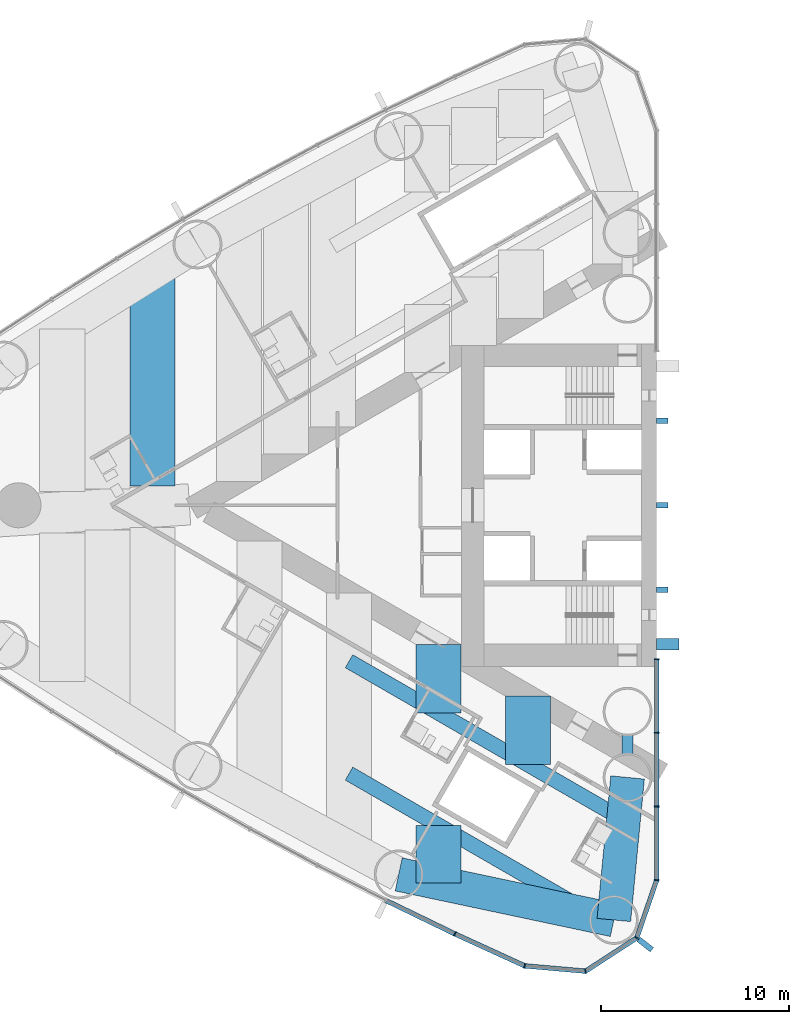
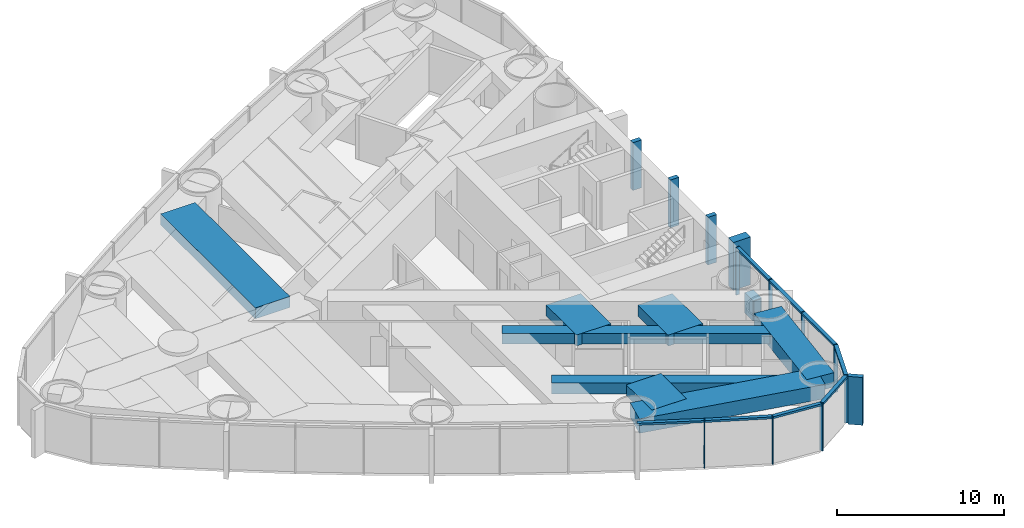
# One storey, part 3 of 18: 21 members, 9 beams, 1 element without a shape of its own.
"""IFC4 building model written with IfcOpenShell, lengths in metres."""

from ifc_helpers import new_model, si_unit, direction, frame, origin, origin_2d, place, context, subcontext, project, spatial, rectangle, hollow_rectangle, extrude, material, material_profile, profile_set, type_object, element, aggregate, save


model = new_model("IFC4")

# Units and contexts
model_context = context("Model", 3, precision=1e-05, world=origin(), true_north=direction((0.0, 1.0)))
body_context = subcontext(model_context, "Body", "Model", "MODEL_VIEW")
ifc_project = project(units=[si_unit("LENGTHUNIT", "METRE"), si_unit("AREAUNIT", "SQUARE_METRE"), si_unit("VOLUMEUNIT", "CUBIC_METRE"), si_unit("PLANEANGLEUNIT", "RADIAN"), si_unit("MASSUNIT", "GRAM", prefix="KILO")], contexts=[model_context])

# Site, building, storey
site_placement = place(None, origin())
site = spatial("IfcSite", under=ifc_project, at=site_placement, CompositionType="ELEMENT")
building_placement = place(site_placement, origin())
building = spatial("IfcBuilding", under=site, at=building_placement, Name="Lancet Gate Hotel", CompositionType="ELEMENT")
storey_placement = place(building_placement, frame((0.0, 0.0, 94.10009765625)))
storey = spatial("IfcBuildingStorey", under=building, at=storey_placement, Name="L24", CompositionType="ELEMENT", Elevation=94.10009765625)

# Curtain wall, members
ifc_material_1 = material(Name="Aluminium curtain wall", Category="aluminium")
curtain_wall_type = type_object("IfcCurtainWallType", Name="Tower unitised curtain wall", PredefinedType="USERDEFINED", material=ifc_material_1)
curtain_wall_placement = place(storey_placement, origin())
curtain_wall = element("IfcCurtainWall", 1, at=curtain_wall_placement, inside=storey, type_object=curtain_wall_type, Name="T1 L24 curtain wall 1", ObjectType="UNITISED CURTAIN WALL", PredefinedType="USERDEFINED")
ifc_material_2 = material(Name="Aluminium mullion", Category="aluminium")
ifc_material_profile_1 = material_profile(ifc_material_2, rectangle(XDim=0.06494140625, YDim=0.25, at=origin_2d()), Name="MULLION 65x250")
ifc_profile_set_1 = profile_set([ifc_material_profile_1], Name="Aluminium mullion")
member_type_1 = type_object("IfcMemberType", Name="Aluminium mullion 65x250", PredefinedType="MULLION", material=ifc_profile_set_1)
member_1_placement = place(storey_placement, frame((-38.25244140625, -22.83642578125, 0.0), z_axis=(0.0, 0.0, 1.0), x_axis=(0.904719609771, -0.426007544178, 0.0)))
member_1 = element("IfcMember", 2, at=member_1_placement, type_object=member_type_1, Name="T1 L24 curtain wall 1 mullion 29", PredefinedType="MULLION", context=body_context, shape_type="SweptSolid", body=[
    extrude(rectangle(XDim=0.06494140625, YDim=0.25, at=origin_2d()), origin(), (0.0, 0.0, 1.0), 3.5),
])
member_2_placement = place(storey_placement, frame((-34.5322265625, -24.53955078125, 0.0), z_axis=(0.0, 0.0, 1.0), x_axis=(0.961653318232, -0.27426792655, 0.0)))
member_2 = element("IfcMember", 3, at=member_2_placement, type_object=member_type_1, Name="T1 L24 curtain wall 1 mullion 30", PredefinedType="MULLION", context=body_context, shape_type="SweptSolid", body=[
    extrude(rectangle(XDim=0.06494140625, YDim=0.25, at=origin_2d()), origin(), (0.0, 0.0, 1.0), 3.5),
])
member_3_placement = place(storey_placement, frame((-31.289306640625, -24.822265625, 0.0), z_axis=(0.0, 0.0, 1.0), x_axis=(0.970242142288, 0.242136707934, 0.0)))
member_3 = element("IfcMember", 4, at=member_3_placement, type_object=member_type_1, Name="T1 L24 curtain wall 1 mullion 31", PredefinedType="MULLION", context=body_context, shape_type="SweptSolid", body=[
    extrude(rectangle(XDim=0.06494140625, YDim=0.25, at=origin_2d()), origin(), (0.0, 0.0, 1.0), 3.5),
])
member_4_placement = place(storey_placement, frame((-28.5595703125, -23.049072265625, 0.0), z_axis=(0.0, 0.0, 1.0), x_axis=(0.615574240878, 0.788078900851, 0.0)))
member_4 = element("IfcMember", 5, at=member_4_placement, type_object=member_type_1, Name="T1 L24 curtain wall 1 mullion 32", PredefinedType="MULLION", context=body_context, shape_type="SweptSolid", body=[
    extrude(rectangle(XDim=0.06494140625, YDim=0.25, at=origin_2d()), origin(), (0.0, 0.0, 1.0), 3.5),
])
member_5_placement = place(storey_placement, frame((-27.5, -19.97119140625, 0.0), z_axis=(0.0, 0.0, 1.0), x_axis=(0.149634446211, 0.988741388082, 0.0)))
member_5 = element("IfcMember", 6, at=member_5_placement, type_object=member_type_1, Name="T1 L24 curtain wall 1 mullion 33", PredefinedType="MULLION", context=body_context, shape_type="SweptSolid", body=[
    extrude(rectangle(XDim=0.06494140625, YDim=0.25, at=origin_2d()), origin(), (0.0, 0.0, 1.0), 3.5),
])
member_6_placement = place(storey_placement, frame((-27.5, -16.04736328125, 0.0), z_axis=(0.0, 0.0, 1.0), x_axis=(0.0, 1.0, 0.0)))
member_6 = element("IfcMember", 7, at=member_6_placement, type_object=member_type_1, Name="T1 L24 curtain wall 1 mullion 34", PredefinedType="MULLION", context=body_context, shape_type="SweptSolid", body=[
    extrude(rectangle(XDim=0.06494140625, YDim=0.25, at=origin_2d()), origin(), (0.0, 0.0, 1.0), 3.5),
])
member_7_placement = place(storey_placement, frame((-27.5, -12.123779296875, 0.0), z_axis=(0.0, 0.0, 1.0), x_axis=(0.0, 1.0, 0.0)))
member_7 = element("IfcMember", 8, at=member_7_placement, type_object=member_type_1, Name="T1 L24 curtain wall 1 mullion 35", PredefinedType="MULLION", context=body_context, shape_type="SweptSolid", body=[
    extrude(rectangle(XDim=0.06494140625, YDim=0.25, at=origin_2d()), origin(), (0.0, 0.0, 1.0), 3.5),
])
member_8_placement = place(storey_placement, frame((-27.5, -8.199951171875, 0.0), z_axis=(0.0, 0.0, 1.0), x_axis=(0.0, 1.0, 0.0)))
member_8 = element("IfcMember", 9, at=member_8_placement, type_object=member_type_1, Name="T1 L24 curtain wall 1 mullion 36", PredefinedType="MULLION", context=body_context, shape_type="SweptSolid", body=[
    extrude(rectangle(XDim=0.06494140625, YDim=0.25, at=origin_2d()), origin(), (0.0, 0.0, 1.0), 3.5),
])
ifc_material_3 = material(Name="Aluminium transom", Category="aluminium")
ifc_material_profile_2 = material_profile(ifc_material_3, rectangle(XDim=0.25, YDim=0.14990234375, at=origin_2d()), Name="TRANSOM 250x150")
ifc_profile_set_2 = profile_set([ifc_material_profile_2], Name="Aluminium transom")
member_type_2 = type_object("IfcMemberType", Name="Aluminium transom 250x150", PredefinedType="USERDEFINED", material=ifc_profile_set_2)
member_9_placement = place(storey_placement, frame((-41.906005859375, -21.067626953125, 3.4248046875), z_axis=(0.900065677074, -0.435754262117, 0.0), x_axis=(0.435754262117, 0.900065677074, 0.0)))
member_9 = element("IfcMember", 10, at=member_9_placement, type_object=member_type_2, Name="T1 L24 curtain wall 1 transom 28", ObjectType="TRANSOM", PredefinedType="USERDEFINED", context=body_context, shape_type="SweptSolid", body=[
    extrude(rectangle(XDim=0.25, YDim=0.14990234375, at=origin_2d()), origin(), (0.0, 0.0, 1.0), 4.026611328125),
])
member_10_placement = place(storey_placement, frame((-38.222900390625, -22.849853515625, 3.4248046875), z_axis=(0.909252284196, -0.416245460857, 0.0), x_axis=(0.416245460857, 0.909252284196, 0.0)))
member_10 = element("IfcMember", 11, at=member_10_placement, type_object=member_type_2, Name="T1 L24 curtain wall 1 transom 29", ObjectType="TRANSOM", PredefinedType="USERDEFINED", context=body_context, shape_type="SweptSolid", body=[
    extrude(rectangle(XDim=0.25, YDim=0.14990234375, at=origin_2d()), origin(), (0.0, 0.0, 1.0), 4.026611328125),
])
member_11_placement = place(storey_placement, frame((-34.499755859375, -24.542236328125, 3.4248046875), z_axis=(0.996213545522, -0.086940046686, 0.0), x_axis=(0.086940046686, 0.996213545522, 0.0)))
member_11 = element("IfcMember", 12, at=member_11_placement, type_object=member_type_2, Name="T1 L24 curtain wall 1 transom 30", ObjectType="TRANSOM", PredefinedType="USERDEFINED", context=body_context, shape_type="SweptSolid", body=[
    extrude(rectangle(XDim=0.25, YDim=0.14990234375, at=origin_2d()), origin(), (0.0, 0.0, 1.0), 3.18994140625),
])
member_12_placement = place(storey_placement, frame((-31.261962890625, -24.8046875, 3.4248046875), z_axis=(0.838550259452, 0.544824249068, 0.0), x_axis=(-0.544824249068, 0.838550259452, 0.0)))
member_12 = element("IfcMember", 13, at=member_12_placement, type_object=member_type_2, Name="T1 L24 curtain wall 1 transom 31", ObjectType="TRANSOM", PredefinedType="USERDEFINED", context=body_context, shape_type="SweptSolid", body=[
    extrude(rectangle(XDim=0.25, YDim=0.14990234375, at=origin_2d()), origin(), (0.0, 0.0, 1.0), 3.190185546875),
])
member_13_placement = place(storey_placement, frame((-28.549072265625, -23.018310546875, 3.4248046875), z_axis=(0.32553312754, 0.945530635609, 0.0), x_axis=(-0.945530635609, 0.32553312754, 0.0)))
member_13 = element("IfcMember", 14, at=member_13_placement, type_object=member_type_2, Name="T1 L24 curtain wall 1 transom 32", ObjectType="TRANSOM", PredefinedType="USERDEFINED", context=body_context, shape_type="SweptSolid", body=[
    extrude(rectangle(XDim=0.25, YDim=0.14990234375, at=origin_2d()), origin(), (0.0, 0.0, 1.0), 3.1904296875),
])
member_14_placement = place(storey_placement, frame((-27.5, -19.9384765625, 3.4248046875), z_axis=(0.0, 1.0, 0.0), x_axis=(-1.0, 0.0, 0.0)))
member_14 = element("IfcMember", 15, at=member_14_placement, type_object=member_type_2, Name="T1 L24 curtain wall 1 transom 33", ObjectType="TRANSOM", PredefinedType="USERDEFINED", context=body_context, shape_type="SweptSolid", body=[
    extrude(rectangle(XDim=0.25, YDim=0.14990234375, at=origin_2d()), origin(), (0.0, 0.0, 1.0), 3.858642578125),
])
member_15_placement = place(storey_placement, frame((-27.5, -16.014892578125, 3.4248046875), z_axis=(0.0, 1.0, 0.0), x_axis=(-1.0, 0.0, 0.0)))
member_15 = element("IfcMember", 16, at=member_15_placement, type_object=member_type_2, Name="T1 L24 curtain wall 1 transom 34", ObjectType="TRANSOM", PredefinedType="USERDEFINED", context=body_context, shape_type="SweptSolid", body=[
    extrude(rectangle(XDim=0.25, YDim=0.14990234375, at=origin_2d()), origin(), (0.0, 0.0, 1.0), 3.858642578125),
])
member_16_placement = place(storey_placement, frame((-27.5, -12.09130859375, 3.4248046875), z_axis=(0.0, 1.0, 0.0), x_axis=(-1.0, 0.0, 0.0)))
member_16 = element("IfcMember", 17, at=member_16_placement, type_object=member_type_2, Name="T1 L24 curtain wall 1 transom 35", ObjectType="TRANSOM", PredefinedType="USERDEFINED", context=body_context, shape_type="SweptSolid", body=[
    extrude(rectangle(XDim=0.25, YDim=0.14990234375, at=origin_2d()), origin(), (0.0, 0.0, 1.0), 3.85888671875),
])

# Beams
ifc_material_4 = material(Name="Concrete C50/60", Category="concrete")
ifc_material_profile_3 = material_profile(ifc_material_4, rectangle(XDim=1.800048828125, YDim=1.050048828125, at=origin_2d()), Name="RC 1800x1050")
ifc_profile_set_3 = profile_set([ifc_material_profile_3], Name="Concrete C50/60")
beam_type_1 = type_object("IfcBeamType", Name="Edge beam RC 1800x1050", PredefinedType="SPANDREL", material=ifc_profile_set_3)
beam_1_placement = place(storey_placement, frame((-41.244873046875, -19.665771484375, 2.724853515625), z_axis=(0.978282156247, -0.207277646573, 0.0), x_axis=(0.207277646573, 0.978282156247, 0.0)))
element("IfcBeam", 18, at=beam_1_placement, inside=storey, type_object=beam_type_1, Name="T1 edge beam EB1 L24", PredefinedType="SPANDREL", context=body_context, shape_type="SweptSolid", body=[
    extrude(rectangle(XDim=1.800048828125, YDim=1.050048828125, at=origin_2d()), origin(), (0.0, 0.0, 1.0), 11.71826171875),
])
beam_2_placement = place(storey_placement, frame((-29.050048828125, -14.5, 2.724853515625), z_axis=(-0.095802643786, -0.995400348324, 0.0), x_axis=(0.995400348324, -0.095802643786, 0.0)))
element("IfcBeam", 19, at=beam_2_placement, inside=storey, type_object=beam_type_1, Name="T1 edge beam EB1 L24", PredefinedType="SPANDREL", context=body_context, shape_type="SweptSolid", body=[
    extrude(rectangle(XDim=1.800048828125, YDim=1.050048828125, at=origin_2d()), origin(), (0.0, 0.0, 1.0), 7.6298828125),
])

# Member
ifc_material_5 = material(Name="Concrete C60/75", Category="concrete")
ifc_material_profile_4 = material_profile(ifc_material_5, rectangle(XDim=0.60009765625, YDim=1.199951171875, at=origin_2d()), Name="FIN 600x1200")
ifc_profile_set_4 = profile_set([ifc_material_profile_4], Name="Concrete C60/75")
member_type_3 = type_object("IfcMemberType", Name="Exposed concrete buttress pilaster 600x1200", PredefinedType="USERDEFINED", material=ifc_profile_set_4)
member_17_placement = place(storey_placement, frame((-26.909912109375, -7.39990234375, 0.0), z_axis=(0.0, 0.0, 1.0), x_axis=(0.0, 1.0, 0.0)))
element("IfcMember", 20, at=member_17_placement, inside=storey, type_object=member_type_3, Name="T1 buttress pilaster N L24", ObjectType="FIN", PredefinedType="USERDEFINED", context=body_context, shape_type="SweptSolid", body=[
    extrude(rectangle(XDim=0.60009765625, YDim=1.199951171875, at=origin_2d()), origin(), (0.0, 0.0, 1.0), 3.5),
])

ifc_material_6 = material(Name="Precast concrete C50/60", Category="concrete")
ifc_material_profile_5 = material_profile(ifc_material_6, rectangle(XDim=0.300048828125, YDim=0.89990234375, at=origin_2d()), Name="FIN 300x900")
ifc_profile_set_5 = profile_set([ifc_material_profile_5], Name="Precast concrete C50/60")
member_type_4 = type_object("IfcMemberType", Name="Exposed concrete fin 300x900", PredefinedType="USERDEFINED", material=ifc_profile_set_5)
member_18_placement = place(storey_placement, frame((-28.1064453125, -23.40283203125, 0.0), z_axis=(0.0, 0.0, 1.0), x_axis=(0.615574240878, 0.788078900851, 0.0)))
member_18 = element("IfcMember", 21, at=member_18_placement, type_object=member_type_4, Name="T1 L24 curtain wall 1 fin 32", ObjectType="FIN", PredefinedType="USERDEFINED", context=body_context, shape_type="SweptSolid", body=[
    extrude(rectangle(XDim=0.300048828125, YDim=0.89990234375, at=origin_2d()), origin(), (0.0, 0.0, 1.0), 3.5),
])

aggregate(curtain_wall, [member_1, member_2, member_3, member_4, member_18, member_5, member_6, member_7, member_8, member_9, member_10, member_11, member_12, member_13, member_14, member_15, member_16])

# Members
ifc_material_7 = material(Name="Concrete C60/75", Category="concrete")
ifc_material_profile_6 = material_profile(ifc_material_7, rectangle(XDim=0.300048828125, YDim=0.60009765625, at=origin_2d()), Name="FIN 300x600")
ifc_profile_set_6 = profile_set([ifc_material_profile_6], Name="Concrete C60/75")
member_type_5 = type_object("IfcMemberType", Name="Exposed concrete rib 300x600", PredefinedType="USERDEFINED", material=ifc_profile_set_6)
for number, where, z_axis, x_axis, name in (
    (22, (-27.2099609375, 4.5, 0.0), (0.0, 0.0, 1.0), (0.0, 1.0, 0.0), "T1 core rib 1 L24"),
    (23, (-27.2099609375, 0.0, 0.0), (0.0, 0.0, 1.0), (0.0, 1.0, 0.0), "T1 core rib 2 L24"),
    (24, (-27.2099609375, -4.5, 0.0), (0.0, 0.0, 1.0), (0.0, 1.0, 0.0), "T1 core rib 3 L24"),
):
    element("IfcMember", number, at=place(storey_placement, frame(where, z_axis=z_axis, x_axis=x_axis)), inside=storey, type_object=member_type_5, Name=name, ObjectType="FIN", PredefinedType="USERDEFINED", context=body_context, shape_type="SweptSolid", body=[
        extrude(rectangle(XDim=0.300048828125, YDim=0.60009765625, at=origin_2d()), origin(), (0.0, 0.0, 1.0), 3.5),
    ])

# Beams
ifc_material_8 = material(Name="Concrete C50/60", Category="concrete")
ifc_material_profile_7 = material_profile(ifc_material_8, rectangle(XDim=2.39990234375, YDim=0.800048828125, at=origin_2d()), Name="RC 2400x800")
ifc_profile_set_7 = profile_set([ifc_material_profile_7], Name="Concrete C50/60")
beam_type_2 = type_object("IfcBeamType", Name="Floor beam RC 2400x800", PredefinedType="BEAM", material=ifc_profile_set_7)
beam_3_placement = place(storey_placement, frame((-54.3681640625, 12.392333984375, 2.849853515625), z_axis=(0.0, -1.0, 0.0), x_axis=(1.0, 0.0, 0.0)))
element("IfcBeam", 25, at=beam_3_placement, inside=storey, type_object=beam_type_2, Name="T1 floor beam F13S L24", PredefinedType="BEAM", context=body_context, shape_type="SweptSolid", body=[
    extrude(rectangle(XDim=2.39990234375, YDim=0.800048828125, at=origin_2d()), origin(), (0.0, 0.0, 1.0), 11.364990234375),
])
beam_4_placement = place(storey_placement, frame((-34.353515625, -10.169921875, 2.849853515625), z_axis=(0.0, -1.0, 0.0), x_axis=(1.0, 0.0, 0.0)))
element("IfcBeam", 26, at=beam_4_placement, inside=storey, type_object=beam_type_2, Name="T1 floor beam F03NA L24", PredefinedType="BEAM", context=body_context, shape_type="SweptSolid", body=[
    extrude(rectangle(XDim=2.39990234375, YDim=0.800048828125, at=origin_2d()), origin(), (0.0, 0.0, 1.0), 3.645751953125),
])
beam_5_placement = place(storey_placement, frame((-39.122314453125, -7.41650390625, 2.849853515625), z_axis=(0.0, -1.0, 0.0), x_axis=(1.0, 0.0, 0.0)))
element("IfcBeam", 27, at=beam_5_placement, inside=storey, type_object=beam_type_2, Name="T1 floor beam F06NA L24", PredefinedType="BEAM", context=body_context, shape_type="SweptSolid", body=[
    extrude(rectangle(XDim=2.39990234375, YDim=0.800048828125, at=origin_2d()), origin(), (0.0, 0.0, 1.0), 3.64599609375),
])
beam_6_placement = place(storey_placement, frame((-39.122314453125, -17.0498046875, 2.849853515625), z_axis=(0.0, -1.0, 0.0), x_axis=(1.0, 0.0, 0.0)))
element("IfcBeam", 28, at=beam_6_placement, inside=storey, type_object=beam_type_2, Name="T1 floor beam F06NB L24", PredefinedType="BEAM", context=body_context, shape_type="SweptSolid", body=[
    extrude(rectangle(XDim=2.39990234375, YDim=0.800048828125, at=origin_2d()), origin(), (0.0, 0.0, 1.0), 3.065673828125),
])
ifc_material_9 = material(Name="Steel S460QL", Category="steel")
ifc_material_profile_8 = material_profile(ifc_material_9, hollow_rectangle(XDim=0.60009765625, YDim=1.5, WallThickness=0.050048828125, at=origin_2d()), Name="BOX 1500x600x50")
ifc_profile_set_8 = profile_set([ifc_material_profile_8], Name="Steel S460QL")
beam_type_3 = type_object("IfcBeamType", Name="Inner-face link beam BOX 1500x600x50", PredefinedType="BEAM", material=ifc_profile_set_8)
beam_7_placement = place(storey_placement, frame((-29.050048828125, -12.25, 2.5), z_axis=(0.0, -1.0, 0.0), x_axis=(1.0, 0.0, 0.0)))
element("IfcBeam", 29, at=beam_7_placement, inside=storey, type_object=beam_type_3, Name="T1 inner-face link beam LK1 L24", PredefinedType="BEAM", context=body_context, shape_type="SweptSolid", body=[
    extrude(hollow_rectangle(XDim=0.60009765625, YDim=1.5, WallThickness=0.050048828125, at=origin_2d()), origin(), (0.0, 0.0, 1.0), 1.0),
])
ifc_material_10 = material(Name="Steel S460QL", Category="steel")
ifc_material_profile_9 = material_profile(ifc_material_10, hollow_rectangle(XDim=0.800048828125, YDim=0.800048828125, WallThickness=0.080078125, at=origin_2d()), Name="BOX 800x800x80")
ifc_profile_set_9 = profile_set([ifc_material_profile_9], Name="Steel S460QL")
beam_type_4 = type_object("IfcBeamType", Name="Trimmer beam BOX 800x800x80", PredefinedType="BEAM", material=ifc_profile_set_9)
beam_8_placement = place(storey_placement, frame((-29.58447265625, -16.56884765625, 2.849853515625), z_axis=(-0.866040141834, 0.49997447208, 0.0), x_axis=(-0.49997447208, -0.866040141834, 0.0)))
element("IfcBeam", 30, at=beam_8_placement, inside=storey, type_object=beam_type_4, Name="T1 trimmer beam TR01N L24", PredefinedType="BEAM", context=body_context, shape_type="SweptSolid", body=[
    extrude(hollow_rectangle(XDim=0.800048828125, YDim=0.800048828125, WallThickness=0.080078125, at=origin_2d()), origin(), (0.0, 0.0, 1.0), 16.519775390625),
])
beam_9_placement = place(storey_placement, frame((-30.982421875, -21.7490234375, 2.849853515625), z_axis=(-0.866042392862, 0.4999705729, 0.0), x_axis=(-0.4999705729, -0.866042392862, 0.0)))
element("IfcBeam", 31, at=beam_9_placement, inside=storey, type_object=beam_type_4, Name="T1 trimmer beam TR03N L24", PredefinedType="BEAM", context=body_context, shape_type="SweptSolid", body=[
    extrude(hollow_rectangle(XDim=0.800048828125, YDim=0.800048828125, WallThickness=0.080078125, at=origin_2d()), origin(), (0.0, 0.0, 1.0), 14.90576171875),
])

save(model, "model.ifc")
